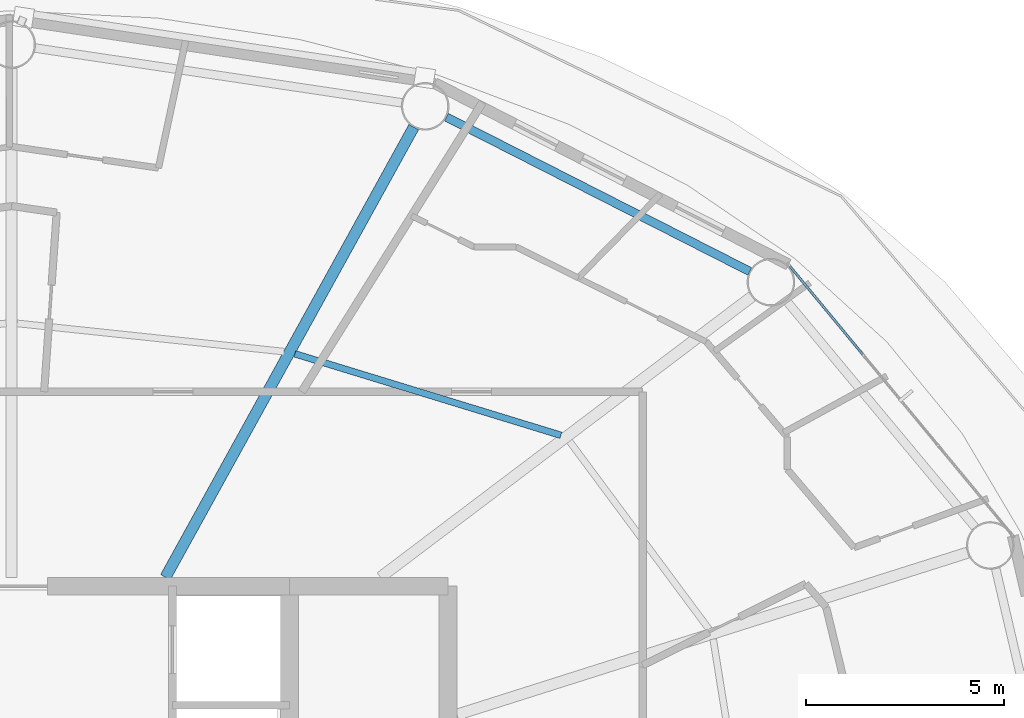
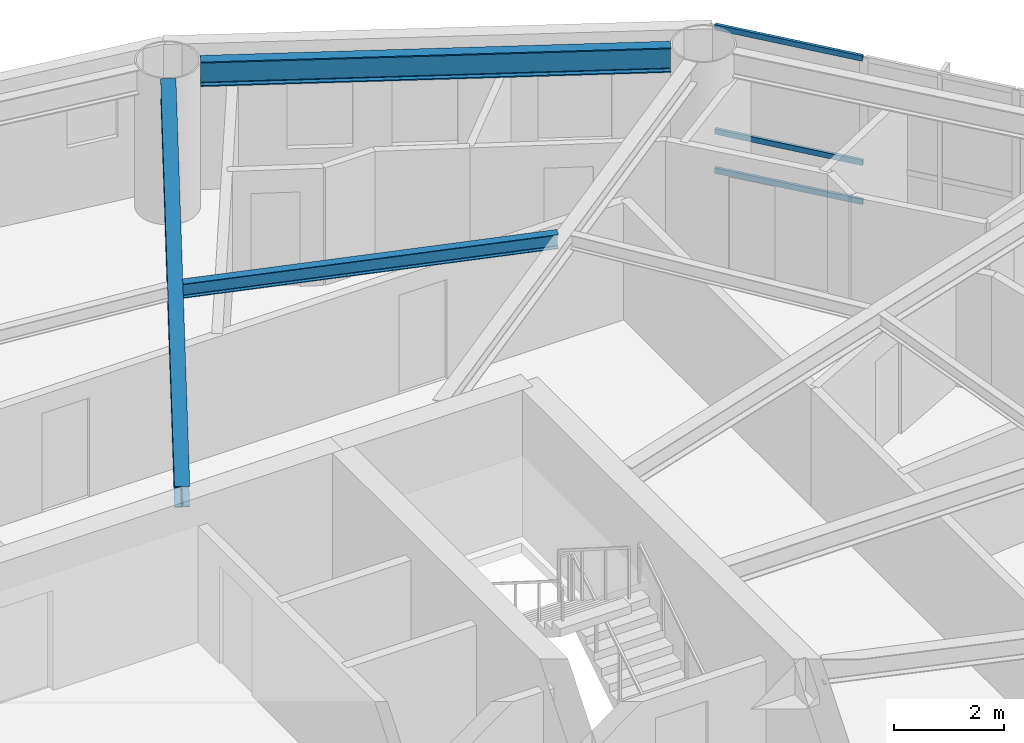
# One storey, part 12 of 28: 3 beams, 3 members, 1 element without a shape of its own.
"""IFC4 building model written with IfcOpenShell, lengths in metres."""

from ifc_helpers import new_model, si_unit, direction, frame, origin, origin_2d, place, context, subcontext, project, spatial, hollow_rectangle, i_section, extrude, material, layer, layer_set, material_profile, profile_set, type_object, element, aggregate, save


model = new_model("IFC4")

# Units and contexts
model_context = context("Model", 3, precision=1e-05, world=origin(), true_north=direction((0.0, 1.0)))
body_context = subcontext(model_context, "Body", "Model", "MODEL_VIEW")
ifc_project = project(units=[si_unit("LENGTHUNIT", "METRE"), si_unit("AREAUNIT", "SQUARE_METRE"), si_unit("VOLUMEUNIT", "CUBIC_METRE"), si_unit("PLANEANGLEUNIT", "RADIAN"), si_unit("MASSUNIT", "GRAM", prefix="KILO")], contexts=[model_context])

# Site, building, storey
site_placement = place(None, origin())
site = spatial("IfcSite", under=ifc_project, at=site_placement, CompositionType="ELEMENT")
building_placement = place(site_placement, origin())
building = spatial("IfcBuilding", under=site, at=building_placement, Name="Sarneth Arch Tower", CompositionType="ELEMENT")
storey_placement = place(building_placement, frame((0.0, 0.0, 197.39990234375)))
storey = spatial("IfcBuildingStorey", under=building, at=storey_placement, Name="L50", CompositionType="ELEMENT", Elevation=197.39990234375)

# Beams
ifc_material_1 = material(Name="Steel S355", Category="steel")
ifc_material_profile_1 = material_profile(ifc_material_1, i_section(OverallWidth=0.1669921875, OverallDepth=0.31689453125, WebThickness=0.007568359375, FlangeThickness=0.01318359375, FilletRadius=0.012939453125, at=origin_2d()), Name="W310x52")
ifc_profile_set_1 = profile_set([ifc_material_profile_1], Name="Steel S355")
beam_type_1 = type_object("IfcBeamType", Name="BM-JOIST-310B", PredefinedType="JOIST", material=ifc_profile_set_1)
beam_1_placement = place(storey_placement, frame((61.84130859375, 52.602783203125, 3.091552734375), z_axis=(-0.956178669891, 0.292783796076, 0.0), x_axis=(-0.292783796076, -0.956178669891, 0.0)))
element("IfcBeam", 1, at=beam_1_placement, inside=storey, type_object=beam_type_1, Name="L50 Secondary floor joist 03", PredefinedType="JOIST", context=body_context, shape_type="SweptSolid", body=[
    extrude(i_section(OverallWidth=0.1669921875, OverallDepth=0.31689453125, WebThickness=0.007568359375, FlangeThickness=0.01318359375, FilletRadius=0.012939453125, at=origin_2d()), origin(), (0.0, 0.0, 1.0), 7.010986328125),
])
ifc_material_2 = material(Name="Steel S355", Category="steel")
ifc_material_profile_2 = material_profile(ifc_material_2, i_section(OverallWidth=0.280029296875, OverallDepth=0.462890625, WebThickness=0.0107421875, FlangeThickness=0.017333984375, FilletRadius=0.01806640625, at=origin_2d()), Name="W460x113")
ifc_profile_set_2 = profile_set([ifc_material_profile_2], Name="Steel S355")
beam_type_2 = type_object("IfcBeamType", Name="BM-RAD-460A", PredefinedType="BEAM", material=ifc_profile_set_2)
beam_2_placement = place(storey_placement, frame((51.875, 49.02490234375, 3.0185546875), z_axis=(0.483010082599, 0.875614789795, 0.0), x_axis=(-0.875614789795, 0.483010082599, 0.0)))
element("IfcBeam", 2, at=beam_2_placement, inside=storey, type_object=beam_type_2, Name="L50 Radial floor girder 04", PredefinedType="BEAM", context=body_context, shape_type="SweptSolid", body=[
    extrude(i_section(OverallWidth=0.280029296875, OverallDepth=0.462890625, WebThickness=0.0107421875, FlangeThickness=0.017333984375, FilletRadius=0.01806640625, at=origin_2d()), origin(), (0.0, 0.0, 1.0), 12.954345703125),
])
ifc_material_3 = material(Name="Steel S355", Category="steel")
ifc_material_profile_3 = material_profile(ifc_material_3, i_section(OverallWidth=0.214111328125, OverallDepth=0.549072265625, WebThickness=0.0146484375, FlangeThickness=0.023681640625, FilletRadius=0.01806640625, at=origin_2d()), Name="W530x138")
ifc_profile_set_3 = profile_set([ifc_material_profile_3], Name="Steel S355")
beam_type_3 = type_object("IfcBeamType", Name="BM-RAD-530A", PredefinedType="BEAM", material=ifc_profile_set_3)
beam_3_placement = place(storey_placement, frame((66.59912109375, 56.732421875, 2.9755859375), z_axis=(-0.891250372735, 0.453511601945, 0.0), x_axis=(-0.453511601945, -0.891250372735, 0.0)))
element("IfcBeam", 3, at=beam_3_placement, inside=storey, type_object=beam_type_3, Name="L50 Perimeter spandrel beam 03", PredefinedType="BEAM", context=body_context, shape_type="SweptSolid", body=[
    extrude(i_section(OverallWidth=0.214111328125, OverallDepth=0.549072265625, WebThickness=0.0146484375, FlangeThickness=0.023681640625, FilletRadius=0.01806640625, at=origin_2d()), origin(), (0.0, 0.0, 1.0), 8.5751953125),
])

# Curtain wall, members
ifc_material_4 = material(Name="Anodised aluminium Type AA25 and solar-control low-e laminated IGU", Category="aluminium")
ifc_layer = layer(ifc_material_4, 0.169921875)
ifc_layer_set = layer_set([ifc_layer], Name="Anodised aluminium Type AA25 and solar-control low-e laminated IGU")
curtain_wall_type = type_object("IfcCurtainWallType", Name="CW-RES-MID", PredefinedType="NOTDEFINED", material=ifc_layer_set)
curtain_wall_placement = place(storey_placement, origin())
curtain_wall = element("IfcCurtainWall", 4, at=curtain_wall_placement, inside=storey, type_object=curtain_wall_type, Name="L50 Unitised curtain wall facet 02", PredefinedType="NOTDEFINED")
ifc_material_5 = material(Name="Anodised Aluminium 6063-T6", Category="aluminium")
ifc_material_profile_4 = material_profile(ifc_material_5, hollow_rectangle(XDim=0.06005859375, YDim=0.1201171875, WallThickness=0.00390625, at=origin_2d()), Name="AL-TRAN-120x60x4")
ifc_profile_set_4 = profile_set([ifc_material_profile_4], Name="Anodised Aluminium 6063-T6")
member_type = type_object("IfcMemberType", Name="CW-TRANSOM", PredefinedType="USERDEFINED", material=ifc_profile_set_4)
member_1_placement = place(storey_placement, frame((69.4423828125, 54.6494140625, 0.030029296875), z_axis=(-0.637358651504, 0.770567290607, 0.0), x_axis=(-0.770567290607, -0.637358651504, 0.0)))
member_1 = element("IfcMember", 5, at=member_1_placement, type_object=member_type, Name="CW-SYS-5 transom 3.1", ObjectType="TRANSOM", PredefinedType="USERDEFINED", context=body_context, shape_type="SweptSolid", body=[
    extrude(hollow_rectangle(XDim=0.06005859375, YDim=0.1201171875, WallThickness=0.00390625, at=origin_2d()), origin(), (0.0, 0.0, 1.0), 2.8681640625),
])
member_2_placement = place(storey_placement, frame((69.4423828125, 54.6494140625, 0.900146484375), z_axis=(-0.637358651504, 0.770567290607, 0.0), x_axis=(-0.770567290607, -0.637358651504, 0.0)))
member_2 = element("IfcMember", 6, at=member_2_placement, type_object=member_type, Name="CW-SYS-5 transom 3.2", ObjectType="TRANSOM", PredefinedType="USERDEFINED", context=body_context, shape_type="SweptSolid", body=[
    extrude(hollow_rectangle(XDim=0.06005859375, YDim=0.1201171875, WallThickness=0.00390625, at=origin_2d()), origin(), (0.0, 0.0, 1.0), 2.8681640625),
])
member_3_placement = place(storey_placement, frame((69.4423828125, 54.6494140625, 3.22021484375), z_axis=(-0.637358651504, 0.770567290607, 0.0), x_axis=(-0.770567290607, -0.637358651504, 0.0)))
member_3 = element("IfcMember", 7, at=member_3_placement, type_object=member_type, Name="CW-SYS-5 transom 3.3", ObjectType="TRANSOM", PredefinedType="USERDEFINED", context=body_context, shape_type="SweptSolid", body=[
    extrude(hollow_rectangle(XDim=0.06005859375, YDim=0.1201171875, WallThickness=0.00390625, at=origin_2d()), origin(), (0.0, 0.0, 1.0), 2.8681640625),
])
aggregate(curtain_wall, [member_1, member_2, member_3])

save(model, "model.ifc")
